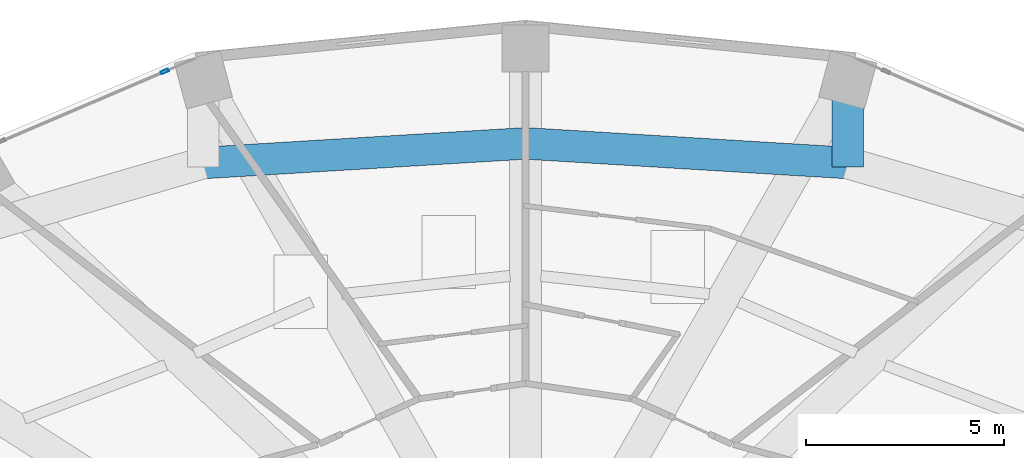
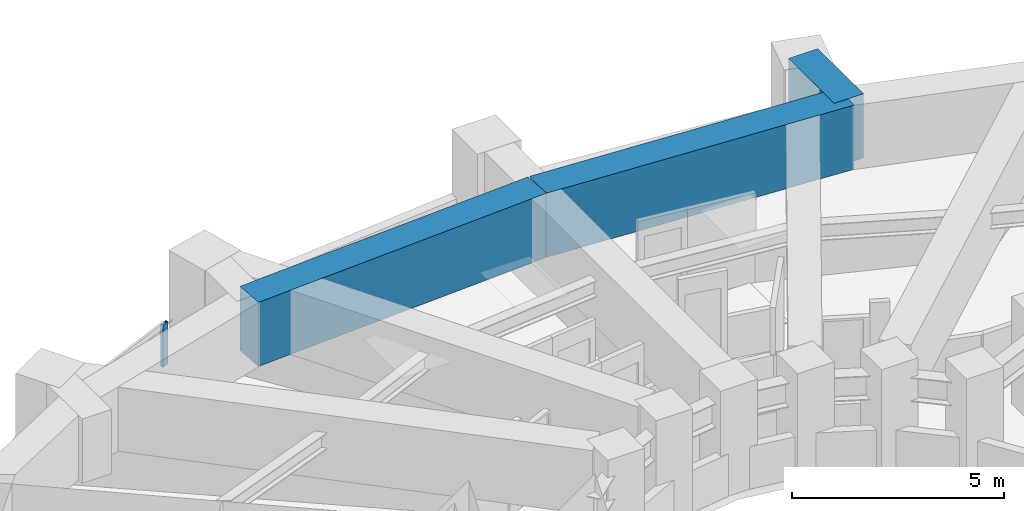
# One storey, part 11 of 22: 3 beams, 1 member, 1 element without a shape of its own.
"""IFC4 building model written with IfcOpenShell, lengths in metres."""

from ifc_helpers import new_model, si_unit, direction, frame, origin, origin_2d, place, context, subcontext, project, spatial, rectangle, hollow_rectangle, extrude, material, layer, layer_set, material_profile, profile_set, type_object, element, aggregate, save


model = new_model("IFC4")

# Units and contexts
model_context = context("Model", 3, precision=1e-05, world=origin(), true_north=direction((0.0, 1.0)))
body_context = subcontext(model_context, "Body", "Model", "MODEL_VIEW")
ifc_project = project(units=[si_unit("LENGTHUNIT", "METRE"), si_unit("AREAUNIT", "SQUARE_METRE"), si_unit("VOLUMEUNIT", "CUBIC_METRE"), si_unit("PLANEANGLEUNIT", "RADIAN"), si_unit("MASSUNIT", "GRAM", prefix="KILO")], contexts=[model_context])

# Site, building, storey
site_placement = place(None, origin())
site = spatial("IfcSite", under=ifc_project, at=site_placement, CompositionType="ELEMENT")
building_placement = place(site_placement, origin())
building = spatial("IfcBuilding", under=site, at=building_placement, Name="Solvane Sanctuary Tower", CompositionType="ELEMENT")
storey_placement = place(building_placement, frame((0.0, 0.0, 43.10009765625)))
storey = spatial("IfcBuildingStorey", under=building, at=storey_placement, Name="L12", CompositionType="ELEMENT", Elevation=43.10009765625)

# Beams
ifc_material_1 = material(Name="Concrete C70/85", Category="concrete")
ifc_material_profile_1 = material_profile(ifc_material_1, rectangle(XDim=0.800048828125, YDim=1.85009765625, at=origin_2d()), Name="RC800X1850")
ifc_profile_set_1 = profile_set([ifc_material_profile_1], Name="Concrete C70/85")
beam_type = type_object("IfcBeamType", Name="Beam B-XFER-BLK RC800X1850", PredefinedType="BEAM", material=ifc_profile_set_1)
beam_placement = place(storey_placement, frame((40.14501953125, 42.03369140625, 2.1748046875), z_axis=(0.0, -1.0, 0.0), x_axis=(1.0, 0.0, 0.0)))
element("IfcBeam", 1, at=beam_placement, inside=storey, type_object=beam_type, Name="L12 Block-Shift Transfer Tie 03B", PredefinedType="BEAM", context=body_context, shape_type="SweptSolid", body=[
    extrude(rectangle(XDim=0.800048828125, YDim=1.85009765625, at=origin_2d()), origin(), (0.0, 0.0, 1.0), 2.14990234375),
])
for number, where, z_axis, x_axis, name in (
    (2, (23.85498046875, 39.985595703125, 2.1748046875), (0.998162963029, 0.06058629579, 0.0), (-0.06058629579, 0.998162963029, 0.0), "L12 Perimeter Step Transfer Ring NTC05-NTC04"),
    (3, (32.0, 40.47998046875, 2.1748046875), (0.998162963029, -0.06058629579, 0.0), (0.06058629579, 0.998162963029, 0.0), "L12 Perimeter Step Transfer Ring NTC04-NTC03"),
):
    element("IfcBeam", number, at=place(storey_placement, frame(where, z_axis=z_axis, x_axis=x_axis)), inside=storey, type_object=beam_type, Name=name, PredefinedType="BEAM", context=body_context, shape_type="SweptSolid", body=[
        extrude(rectangle(XDim=0.800048828125, YDim=1.85009765625, at=origin_2d()), origin(), (0.0, 0.0, 1.0), 8.159912109375),
    ])

# Curtain wall, member
ifc_material_2 = material(Name="Anodised Aluminium 6063-T6", Category="aluminium")
ifc_layer = layer(ifc_material_2, 0.169921875, Name="Anodised Aluminium 6063-T6")
ifc_layer_set = layer_set([ifc_layer], Name="Anodised Aluminium 6063-T6")
curtain_wall_type = type_object("IfcCurtainWallType", Name="Curtain Wall CW-FRIT-Z1", PredefinedType="NOTDEFINED", material=ifc_layer_set)
curtain_wall_placement = place(storey_placement, origin())
curtain_wall = element("IfcCurtainWall", 4, at=curtain_wall_placement, inside=storey, type_object=curtain_wall_type, Name="L12 CW-FRIT-Z1 Facade Run 07", PredefinedType="NOTDEFINED")
ifc_material_profile_2 = material_profile(ifc_material_2, hollow_rectangle(XDim=0.074951171875, YDim=0.199951171875, WallThickness=0.00390625, at=origin_2d()), Name="ALU200X75X4")
ifc_profile_set_2 = profile_set([ifc_material_profile_2], Name="Anodised Aluminium 6063-T6")
member_type = type_object("IfcMemberType", Name="Member M-CW-MUL-1 ALU200X75X4", PredefinedType="MULLION", material=ifc_profile_set_2)
member_placement = place(storey_placement, frame((22.879638671875, 42.29931640625, 0.0), z_axis=(0.0, 0.0, 1.0), x_axis=(0.392820282466, -0.919615259597, 0.0)))
member = element("IfcMember", 5, at=member_placement, type_object=member_type, Name="CW-FRIT-Z1 mullion 1", PredefinedType="MULLION", context=body_context, shape_type="SweptSolid", body=[
    extrude(hollow_rectangle(XDim=0.074951171875, YDim=0.199951171875, WallThickness=0.00390625, at=origin_2d()), origin(), (0.0, 0.0, 1.0), 1.219970703125),
])
aggregate(curtain_wall, [member])

save(model, "model.ifc")
